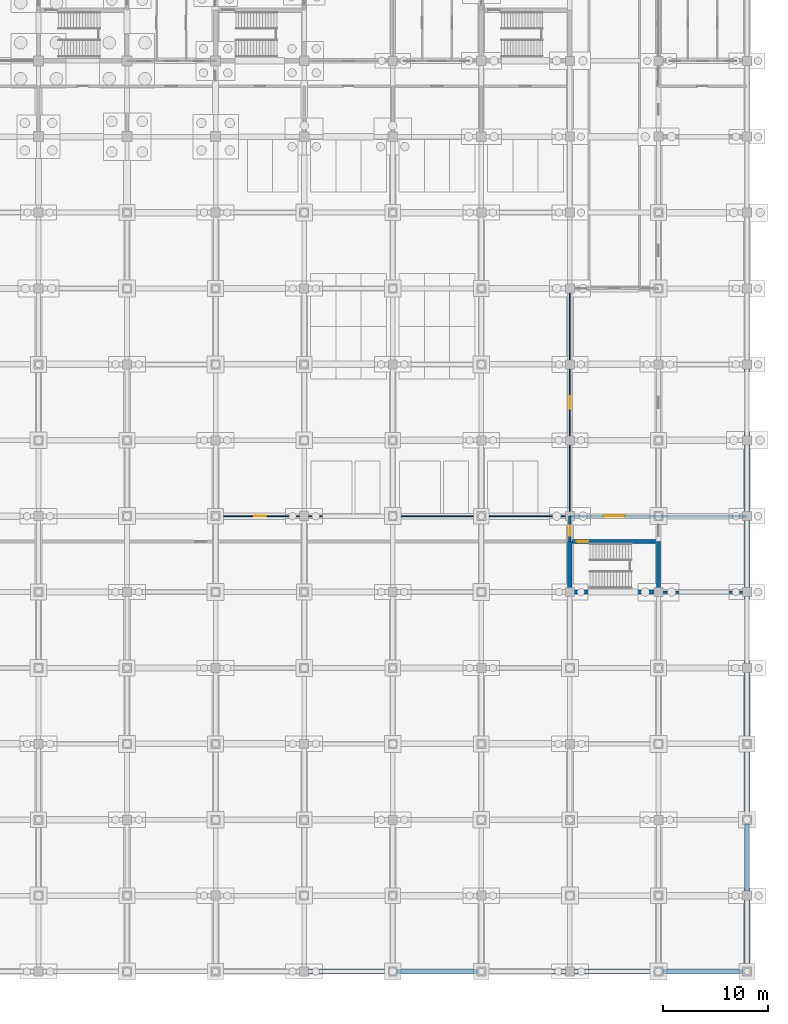
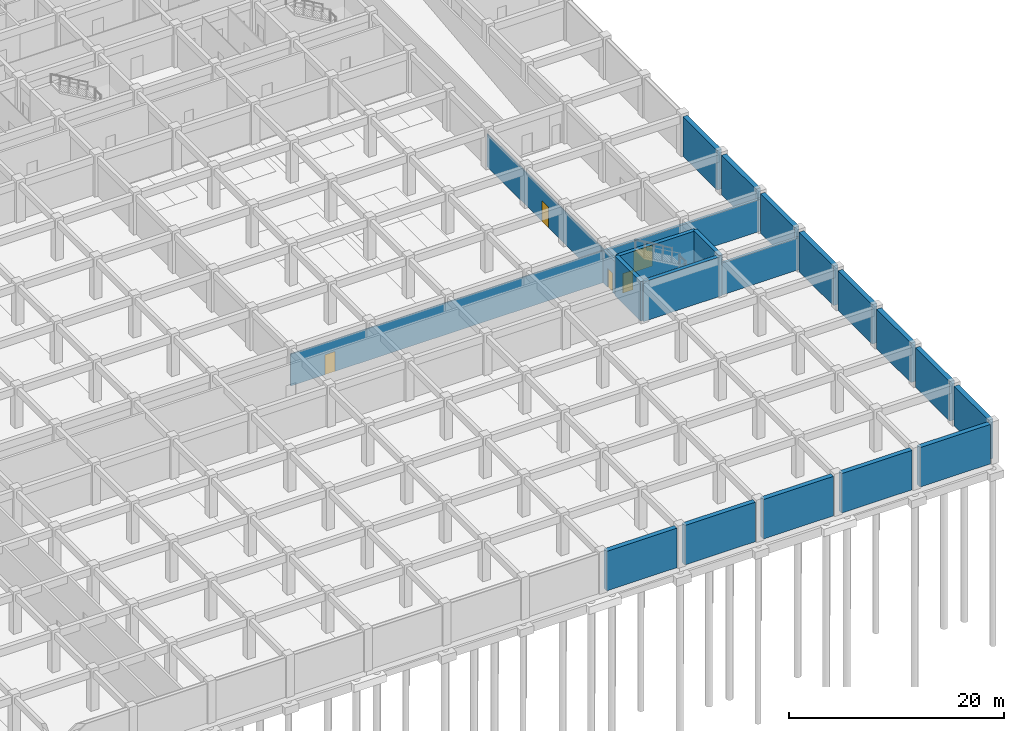
# One storey, part 76 of 85: 22 walls, 5 doors, 5 openings.
"""IFC4 building model written with IfcOpenShell, lengths in metres."""

import ifcopenshell
import ifcopenshell.guid

model = None  # the IFC model being written
_history = None  # IfcOwnerHistory: only IFC2X3 demands one
_inside = {}  # id of a spatial element -> (the spatial element, [elements in it])
_under = {}  # id of a project, library or spatial element -> (it, [spatial elements below it])
_declared = {}  # id of a project -> (the project, [libraries it declares])
_typed = {}  # id of a type object -> (the type object, [elements of that type])
_made_of = {}  # id of a material, layer set ... -> (it, [elements and type objects made of it])


def new_model(schema):
    """Start an empty IFC model of exactly this schema.

    Asked for "IFC4X3", IfcOpenShell would pick the latest addendum, in which some entities
    have other attributes; the version numbers below select the first issue.
    IFC2X3 requires an IfcOwnerHistory on every rooted entity: one is made here for all.
    """
    global model, _history
    if schema == "IFC4X3":
        model = ifcopenshell.file(schema_version=(4, 3, 0, 0))
    else:
        model = ifcopenshell.file(schema=schema)
    _inside.clear()
    _under.clear()
    _declared.clear()
    _typed.clear()
    _made_of.clear()
    _history = None
    if model.schema == "IFC2X3":
        org = make("IfcOrganization", Name="unknown")
        user = make(
            "IfcPersonAndOrganization",
            ThePerson=make("IfcPerson", FamilyName="unknown"),
            TheOrganization=org,
        )
        app = make(
            "IfcApplication",
            ApplicationDeveloper=org,
            Version="unknown",
            ApplicationFullName="unknown",
            ApplicationIdentifier="unknown",
        )
        _history = make(
            "IfcOwnerHistory",
            OwningUser=user,
            OwningApplication=app,
            ChangeAction="ADDED",
            CreationDate=0,
        )
    return model


def make(cls, **values):
    """One entity of the class cls with the attributes given. An attribute that is None is left unset."""
    return model.create_entity(
        cls, **{name: value for name, value in values.items() if value is not None}
    )


def rooted(cls, **values):
    """An entity with a GlobalId (a new one), such as an element, a storey or a relation."""
    return make(cls, GlobalId=ifcopenshell.guid.new(), OwnerHistory=_history, **values)


def si_unit(unit_type, name, prefix=None):
    """IfcSIUnit, for example si_unit("LENGTHUNIT", "METRE", prefix="MILLI")."""
    return make("IfcSIUnit", UnitType=unit_type, Prefix=prefix, Name=name)


def assignment(units):
    """IfcUnitAssignment: the units of a project."""
    return None if units is None else make("IfcUnitAssignment", Units=units)


def point(xyz):
    """IfcCartesianPoint."""
    return None if xyz is None else make("IfcCartesianPoint", Coordinates=xyz)


def direction(xyz):
    """IfcDirection."""
    return None if xyz is None else make("IfcDirection", DirectionRatios=xyz)


def frame(location, z_axis=None, x_axis=None):
    """IfcAxis2Placement3D, a coordinate frame: its origin and axes. An axis left out is left unset."""
    return make(
        "IfcAxis2Placement3D",
        Location=point(location),
        Axis=direction(z_axis),
        RefDirection=direction(x_axis),
    )


def frame_2d(location, x_axis=None):
    """IfcAxis2Placement2D, a coordinate frame in the plane: its origin and x axis."""
    return make(
        "IfcAxis2Placement2D", Location=point(location), RefDirection=direction(x_axis)
    )


def origin():
    """The frame at (0, 0, 0) with its axes left unset."""
    return frame((0.0, 0.0, 0.0))


def place(relative_to, where):
    """IfcLocalPlacement: puts the frame where relative to a parent placement (None: the world)."""
    return make(
        "IfcLocalPlacement", PlacementRelTo=relative_to, RelativePlacement=where
    )


def context(
    kind, dimensions, precision=None, world=None, true_north=None, identifier=None
):
    """IfcGeometricRepresentationContext, for example the 3D "Model" context."""
    return make(
        "IfcGeometricRepresentationContext",
        ContextIdentifier=identifier,
        ContextType=kind,
        CoordinateSpaceDimension=dimensions,
        Precision=precision,
        WorldCoordinateSystem=world,
        TrueNorth=true_north,
    )


def subcontext(parent, identifier, kind, view, scale=None):
    """IfcGeometricRepresentationSubContext, for example "Body" below "Model"."""
    return make(
        "IfcGeometricRepresentationSubContext",
        ContextIdentifier=identifier,
        ContextType=kind,
        ParentContext=parent,
        TargetScale=scale,
        TargetView=view,
    )


def project(units=None, contexts=None):
    """IfcProject with its units and contexts."""
    return rooted(
        "IfcProject",
        Name="project",
        RepresentationContexts=contexts,
        UnitsInContext=assignment(units),
    )


def spatial(cls, under=None, at=None, **own):
    """A site, building, storey or space (cls), placed at a placement, below another one or the project."""
    s = rooted(cls, ObjectPlacement=at, **own)
    if under is not None:
        _under.setdefault(under.id(), (under, []))[1].append(s)
    return s


def profile(cls, at=None, kind="AREA", **sizes):
    """A parametric profile (cls). Its sizes go by their IFC names, for example OverallWidth=200.0."""
    return make(cls, ProfileType=kind, Position=at, **sizes)


def rectangle(**sizes):
    """IfcRectangleProfileDef."""
    return profile("IfcRectangleProfileDef", **sizes)


def extrude(swept, where, along, depth):
    """IfcExtrudedAreaSolid: the profile swept, set in the frame where, extruded along a direction by depth."""
    return make(
        "IfcExtrudedAreaSolid",
        SweptArea=swept,
        Position=where,
        ExtrudedDirection=direction(along),
        Depth=depth,
    )


def shape(context_of_items, identifier, shape_type, items):
    """IfcShapeRepresentation: the items that make up one representation, for example the "Body"."""
    return make(
        "IfcShapeRepresentation",
        ContextOfItems=context_of_items,
        RepresentationIdentifier=identifier,
        RepresentationType=shape_type,
        Items=items,
    )


def material(Name=None, Category=None):
    """IfcMaterial."""
    return make("IfcMaterial", Name=Name, Category=Category)


def layer(
    of_material, thickness, ventilated=None, Name=None, Category=None, Priority=None
):
    """IfcMaterialLayer: one layer of a wall or slab, of a material (None: an air gap)."""
    return make(
        "IfcMaterialLayer",
        Material=of_material,
        LayerThickness=thickness,
        IsVentilated=ventilated,
        Name=Name,
        Category=Category,
        Priority=Priority,
    )


def layer_set(layers, Name=None):
    """IfcMaterialLayerSet."""
    return make("IfcMaterialLayerSet", MaterialLayers=layers, LayerSetName=Name)


def made_of(thing, what):
    """Note that an element or type object is made of a material, layer set ...; save() writes the relation."""
    if what is not None:
        _made_of.setdefault(what.id(), (what, []))[1].append(thing)
    return thing


def type_object(cls, material=None, **own):
    """A type object (cls), such as IfcWallType, which elements share."""
    return made_of(rooted(cls, **own), material)


def element(
    cls,
    number,
    at=None,
    inside=None,
    cuts=None,
    type_object=None,
    material=None,
    context=None,
    identifier="Body",
    shape_type=None,
    held_by="IfcProductDefinitionShape",
    body=None,
    shapes=None,
    **own,
):
    """One element of the class cls, such as IfcWall. Its Tag is "e" and its number.

    at: its placement. inside: the storey or other place that contains it. cuts: it is an
    opening in that element (IfcRelVoidsElement). A single representation is given by context,
    identifier, shape_type and body (its items); several are given by shapes. held_by: the class
    of the entity that holds the representations. save() writes the other relations.
    """
    e = rooted(cls, Tag="e%d" % number, ObjectPlacement=at, **own)
    if body is not None:
        shapes = [shape(context, identifier, shape_type, body)]
    if shapes is not None:
        e.Representation = make(held_by, Representations=shapes)
    if inside is not None:
        _inside.setdefault(inside.id(), (inside, []))[1].append(e)
    if cuts is not None:
        rooted(
            "IfcRelVoidsElement", RelatingBuildingElement=cuts, RelatedOpeningElement=e
        )
    if type_object is not None:
        _typed.setdefault(type_object.id(), (type_object, []))[1].append(e)
    return made_of(e, material)


def fill(opening, filler):
    """IfcRelFillsElement: the door or window that sits in an opening."""
    return rooted(
        "IfcRelFillsElement",
        RelatingOpeningElement=opening,
        RelatedBuildingElement=filler,
    )


def aggregate(whole, parts):
    """IfcRelAggregates: a whole, such as a stair, and the parts it consists of."""
    return rooted("IfcRelAggregates", RelatingObject=whole, RelatedObjects=parts)


def save(model, path):
    """Write the relations noted so far, then the file.

    IfcRelAggregates (storeys below a building ...), IfcRelContainedInSpatialStructure (elements
    in a storey), IfcRelDefinesByType, IfcRelAssociatesMaterial and IfcRelDeclares: one each for
    every whole, place, type object, material and project.
    """
    for whole, parts in _under.values():
        aggregate(whole, parts)
    for where, things in _inside.values():
        rooted(
            "IfcRelContainedInSpatialStructure",
            RelatedElements=things,
            RelatingStructure=where,
        )
    for kind, things in _typed.values():
        rooted("IfcRelDefinesByType", RelatedObjects=things, RelatingType=kind)
    for what, things in _made_of.values():
        rooted("IfcRelAssociatesMaterial", RelatedObjects=things, RelatingMaterial=what)
    for by, libraries in _declared.values():
        rooted("IfcRelDeclares", RelatingContext=by, RelatedDefinitions=libraries)
    model.write(path)


model = new_model("IFC4")

# Units and contexts
model_context = context("Model", 3, precision=1e-05, world=origin(), true_north=direction((0.0, 1.0)))
body_context = subcontext(model_context, "Body", "Model", "MODEL_VIEW")
ifc_project = project(units=[si_unit("LENGTHUNIT", "METRE"), si_unit("AREAUNIT", "SQUARE_METRE"), si_unit("VOLUMEUNIT", "CUBIC_METRE"), si_unit("PLANEANGLEUNIT", "RADIAN"), si_unit("MASSUNIT", "GRAM", prefix="KILO")], contexts=[model_context])

# Site, building, storey
site_placement = place(None, origin())
site = spatial("IfcSite", under=ifc_project, at=site_placement, CompositionType="ELEMENT")
building_placement = place(site_placement, origin())
building = spatial("IfcBuilding", under=site, at=building_placement, Name="Chengyuan Square Courthouse", CompositionType="ELEMENT")
storey_placement = place(building_placement, frame((0.0, 0.0, -10.199951171875)))
storey = spatial("IfcBuildingStorey", under=building, at=storey_placement, Name="B02", CompositionType="ELEMENT", Elevation=-10.199951171875)

# Wall
ifc_material_1 = material(Name="Concrete C40", Category="concrete")
ifc_layer_1 = layer(ifc_material_1, 0.25)
ifc_layer_set_1 = layer_set([ifc_layer_1], Name="Concrete C40")
wall_type_1 = type_object("IfcWallType", Name="WL-FW1", PredefinedType="STANDARD", material=ifc_layer_set_1)
wall_1_placement = place(storey_placement, frame((159.60009765625, 36.0, 0.0), z_axis=(0.0, 0.0, 1.0), x_axis=(1.0, 0.0, 0.0)))
element("IfcWall", 1, at=wall_1_placement, inside=storey, type_object=wall_type_1, Name="Interior Wall WL-B02-I006", PredefinedType="STANDARD", context=body_context, shape_type="SweptSolid", body=[
    extrude(rectangle(XDim=8.35986328125, YDim=0.25, at=frame_2d((4.179931640625, 0.0))), origin(), (0.0, 0.0, 1.0), 3.6298828125),
])

# Wall, opening, door
wall_2_placement = place(storey_placement, frame((151.199951171875, 43.199951171875, 0.0), z_axis=(0.0, 0.0, 1.0), x_axis=(1.0, 0.0, 0.0)))
wall_2 = element("IfcWall", 2, at=wall_2_placement, inside=storey, type_object=wall_type_1, Name="Interior Wall WL-B02-I016", PredefinedType="STANDARD", context=body_context, shape_type="SweptSolid", body=[
    extrude(rectangle(XDim=16.760009765625, YDim=0.25, at=frame_2d((8.3798828125, 0.0))), origin(), (0.0, 0.0, 1.0), 3.6298828125),
])
opening_1_placement = place(wall_2_placement, frame((3.199951171875, 0.0, 0.0)))
opening_1 = element("IfcOpeningElement", 3, at=opening_1_placement, cuts=wall_2, Name="Opening DR-044", PredefinedType="OPENING", context=body_context, shape_type="SweptSolid", body=[
    extrude(rectangle(XDim=2.0, YDim=2.39990234375, at=frame_2d((1.0, 1.199951171875))), frame((0.0, 0.136962890625, 0.0), z_axis=(0.0, -1.0, 0.0), x_axis=(1.0, 0.0, 0.0)), (0.0, 0.0, 1.0), 0.27392578125),
])
ifc_material_2 = material(Name="Steel Q235B Glazed Fire Door", Category="steel")
door_type_1 = type_object("IfcDoorType", Name="DT-20", OperationType="DOUBLE_DOOR_SINGLE_SWING", PredefinedType="DOOR", material=ifc_material_2)
door_1_placement = place(opening_1_placement, frame((2.0, 0.0, 0.0), z_axis=(0.0, 0.0, 1.0), x_axis=(-1.0, 0.0, 0.0)))
door_1 = element("IfcDoor", 4, at=door_1_placement, inside=storey, type_object=door_type_1, Name="Interior Door DR-044", OperationType="DOUBLE_DOOR_SINGLE_SWING", OverallHeight=2.39990234375, OverallWidth=2.0, PredefinedType="DOOR", context=body_context, shape_type="SweptSolid", body=[
    extrude(rectangle(XDim=2.0, YDim=2.39990234375, at=frame_2d((1.0, 1.199951171875))), frame((0.0, 0.02490234375, 0.0), z_axis=(0.0, -1.0, 0.0), x_axis=(1.0, 0.0, 0.0)), (0.0, 0.0, 1.0), 0.050048828125),
])
fill(opening_1, door_1)

wall_3_placement = place(storey_placement, frame((151.199951171875, 40.800048828125, 0.0), z_axis=(0.0, 0.0, 1.0), x_axis=(0.0, 1.0, 0.0)))
wall_3 = element("IfcWall", 5, at=wall_3_placement, inside=storey, type_object=wall_type_1, Name="Interior Wall WL-B02-I262", PredefinedType="STANDARD", context=body_context, shape_type="SweptSolid", body=[
    extrude(rectangle(XDim=2.39990234375, YDim=0.25, at=frame_2d((1.199951171875, 0.0))), origin(), (0.0, 0.0, 1.0), 3.72998046875),
])
opening_2_placement = place(wall_3_placement, frame((0.552490234375, 0.0, 0.0)))
opening_2 = element("IfcOpeningElement", 6, at=opening_2_placement, cuts=wall_3, Name="Opening DR-042", PredefinedType="OPENING", context=body_context, shape_type="SweptSolid", body=[
    extrude(rectangle(XDim=0.949951171875, YDim=2.14990234375, at=frame_2d((0.47509765625, 1.074951171875))), frame((0.0, 0.136962890625, 0.0), z_axis=(0.0, -1.0, 0.0), x_axis=(1.0, 0.0, 0.0)), (0.0, 0.0, 1.0), 0.27392578125),
])
ifc_material_3 = material(Name="Steel Q235B Fire Door", Category="steel")
door_type_2 = type_object("IfcDoorType", Name="DT-12", OperationType="NOTDEFINED", PredefinedType="DOOR", material=ifc_material_3)
door_2_placement = place(opening_2_placement, origin())
door_2 = element("IfcDoor", 7, at=door_2_placement, inside=storey, type_object=door_type_2, Name="Interior Door DR-042", OperationType="SINGLE_SWING_LEFT", OverallHeight=2.14990234375, OverallWidth=0.949951171875, PredefinedType="DOOR", context=body_context, shape_type="SweptSolid", body=[
    extrude(rectangle(XDim=0.949951171875, YDim=2.14990234375, at=frame_2d((0.47509765625, 1.074951171875))), frame((0.0, 0.02490234375, 0.0), z_axis=(0.0, -1.0, 0.0), x_axis=(1.0, 0.0, 0.0)), (0.0, 0.0, 1.0), 0.050048828125),
])
fill(opening_2, door_2)

ifc_material_4 = material(Name="Gypsum Plasterboard Acoustic Stud Partition")
ifc_layer_2 = layer(ifc_material_4, 0.10009765625)
ifc_layer_set_2 = layer_set([ifc_layer_2], Name="Gypsum Plasterboard Acoustic Stud Partition")
wall_type_2 = type_object("IfcWallType", Name="WL-PT6", PredefinedType="STANDARD", material=ifc_layer_set_2)
wall_4_placement = place(storey_placement, frame((117.60009765625, 43.199951171875, 0.0), z_axis=(0.0, 0.0, 1.0), x_axis=(1.0, 0.0, 0.0)))
wall_4 = element("IfcWall", 8, at=wall_4_placement, inside=storey, type_object=wall_type_2, Name="Interior Wall WL-B02-I015", PredefinedType="STANDARD", context=body_context, shape_type="SweptSolid", body=[
    extrude(rectangle(XDim=33.599853515625, YDim=0.10009765625, at=frame_2d((16.7998046875, 0.0))), origin(), (0.0, 0.0, 1.0), 3.6298828125),
])
opening_3_placement = place(wall_4_placement, frame((3.659912109375, 0.0, 0.0)))
opening_3 = element("IfcOpeningElement", 9, at=opening_3_placement, cuts=wall_4, Name="Opening DR-330", PredefinedType="OPENING", context=body_context, shape_type="SweptSolid", body=[
    extrude(rectangle(XDim=1.080078125, YDim=2.25, at=frame_2d((0.5400390625, 1.125))), frame((0.0, 0.06201171875, 0.0), z_axis=(0.0, -1.0, 0.0), x_axis=(1.0, 0.0, 0.0)), (0.0, 0.0, 1.0), 0.1240234375),
])
ifc_material_5 = material(Name="Acoustic Solid-Core Timber Door", Category="wood")
door_type_3 = type_object("IfcDoorType", Name="DT-33", OperationType="NOTDEFINED", PredefinedType="DOOR", material=ifc_material_5)
door_3_placement = place(opening_3_placement, origin())
door_3 = element("IfcDoor", 10, at=door_3_placement, inside=storey, type_object=door_type_3, Name="Interior Door DR-330", OperationType="SINGLE_SWING_LEFT", OverallHeight=2.25, OverallWidth=1.080078125, PredefinedType="DOOR", context=body_context, shape_type="SweptSolid", body=[
    extrude(rectangle(XDim=1.080078125, YDim=2.25, at=frame_2d((0.5400390625, 1.125))), frame((0.0, 0.02490234375, 0.0), z_axis=(0.0, -1.0, 0.0), x_axis=(1.0, 0.0, 0.0)), (0.0, 0.0, 1.0), 0.050048828125),
])
fill(opening_3, door_3)

wall_5_placement = place(storey_placement, frame((151.199951171875, 43.199951171875, 0.0), z_axis=(0.0, 0.0, 1.0), x_axis=(0.0, 1.0, 0.0)))
wall_5 = element("IfcWall", 11, at=wall_5_placement, inside=storey, type_object=wall_type_2, Name="Interior Wall WL-B02-I263", PredefinedType="STANDARD", context=body_context, shape_type="SweptSolid", body=[
    extrude(rectangle(XDim=21.60009765625, YDim=0.10009765625, at=frame_2d((10.800048828125, 0.0))), origin(), (0.0, 0.0, 1.0), 3.72998046875),
])
opening_4_placement = place(wall_5_placement, frame((10.199951171875, 0.0, 0.0)))
opening_4 = element("IfcOpeningElement", 12, at=opening_4_placement, cuts=wall_5, Name="Opening DR-333", PredefinedType="OPENING", context=body_context, shape_type="SweptSolid", body=[
    extrude(rectangle(XDim=1.199951171875, YDim=2.35009765625, at=frame_2d((0.60009765625, 1.175048828125))), frame((0.0, 0.06201171875, 0.0), z_axis=(0.0, -1.0, 0.0), x_axis=(1.0, 0.0, 0.0)), (0.0, 0.0, 1.0), 0.1240234375),
])
door_type_4 = type_object("IfcDoorType", Name="DT-36", OperationType="NOTDEFINED", PredefinedType="DOOR", material=ifc_material_5)
door_4_placement = place(opening_4_placement, origin())
door_4 = element("IfcDoor", 13, at=door_4_placement, inside=storey, type_object=door_type_4, Name="Interior Door DR-333", OperationType="SINGLE_SWING_RIGHT", OverallHeight=2.35009765625, OverallWidth=1.199951171875, PredefinedType="DOOR", context=body_context, shape_type="SweptSolid", body=[
    extrude(rectangle(XDim=1.199951171875, YDim=2.35009765625, at=frame_2d((0.60009765625, 1.175048828125))), frame((0.0, 0.02490234375, 0.0), z_axis=(0.0, -1.0, 0.0), x_axis=(1.0, 0.0, 0.0)), (0.0, 0.0, 1.0), 0.050048828125),
])
fill(opening_4, door_4)

# Walls
ifc_layer_3 = layer(ifc_material_1, 0.5)
ifc_layer_set_3 = layer_set([ifc_layer_3], Name="Concrete C40")
wall_type_3 = type_object("IfcWallType", Name="WL-RW1", PredefinedType="USERDEFINED", material=ifc_layer_set_3)
wall_6_placement = place(storey_placement, frame((126.419921875, 0.0, 0.0), z_axis=(0.0, 0.0, 1.0), x_axis=(1.0, 0.0, 0.0)))
element("IfcWall", 14, at=wall_6_placement, inside=storey, type_object=wall_type_3, Name="Basement Retaining Wall WL-B02-E047", ObjectType="RETAININGWALL", PredefinedType="USERDEFINED", context=body_context, shape_type="SweptSolid", body=[
    extrude(rectangle(XDim=7.56005859375, YDim=0.5, at=frame_2d((3.780029296875, 0.0))), origin(), (0.0, 0.0, 1.0), 4.47998046875),
])
wall_7_placement = place(storey_placement, frame((134.820068359375, 0.0, 0.0), z_axis=(0.0, 0.0, 1.0), x_axis=(1.0, 0.0, 0.0)))
element("IfcWall", 15, at=wall_7_placement, inside=storey, type_object=wall_type_3, Name="Basement Retaining Wall WL-B02-E049", ObjectType="RETAININGWALL", PredefinedType="USERDEFINED", context=body_context, shape_type="SweptSolid", body=[
    extrude(rectangle(XDim=7.559814453125, YDim=0.5, at=frame_2d((3.77978515625, 0.0))), origin(), (0.0, 0.0, 1.0), 4.47998046875),
])
wall_8_placement = place(storey_placement, frame((143.219970703125, 0.0, 0.0), z_axis=(0.0, 0.0, 1.0), x_axis=(1.0, 0.0, 0.0)))
element("IfcWall", 16, at=wall_8_placement, inside=storey, type_object=wall_type_3, Name="Basement Retaining Wall WL-B02-E051", ObjectType="RETAININGWALL", PredefinedType="USERDEFINED", context=body_context, shape_type="SweptSolid", body=[
    extrude(rectangle(XDim=7.56005859375, YDim=0.5, at=frame_2d((3.780029296875, 0.0))), origin(), (0.0, 0.0, 1.0), 4.47998046875),
])
wall_9_placement = place(storey_placement, frame((151.6201171875, 0.0, 0.0), z_axis=(0.0, 0.0, 1.0), x_axis=(1.0, 0.0, 0.0)))
element("IfcWall", 17, at=wall_9_placement, inside=storey, type_object=wall_type_3, Name="Basement Retaining Wall WL-B02-E053", ObjectType="RETAININGWALL", PredefinedType="USERDEFINED", context=body_context, shape_type="SweptSolid", body=[
    extrude(rectangle(XDim=7.559814453125, YDim=0.5, at=frame_2d((3.77978515625, 0.0))), origin(), (0.0, 0.0, 1.0), 4.47998046875),
])
wall_10_placement = place(storey_placement, frame((160.02001953125, 0.0, 0.0), z_axis=(0.0, 0.0, 1.0), x_axis=(1.0, 0.0, 0.0)))
element("IfcWall", 18, at=wall_10_placement, inside=storey, type_object=wall_type_3, Name="Basement Retaining Wall WL-B02-E055", ObjectType="RETAININGWALL", PredefinedType="USERDEFINED", context=body_context, shape_type="SweptSolid", body=[
    extrude(rectangle(XDim=7.56005859375, YDim=0.5, at=frame_2d((3.780029296875, 0.0))), origin(), (0.0, 0.0, 1.0), 4.47998046875),
])
wall_11_placement = place(storey_placement, frame((168.0, 0.419921875, 0.0), z_axis=(0.0, 0.0, 1.0), x_axis=(0.0, 1.0, 0.0)))
element("IfcWall", 19, at=wall_11_placement, inside=storey, type_object=wall_type_3, Name="Basement Retaining Wall WL-B02-E056", ObjectType="RETAININGWALL", PredefinedType="USERDEFINED", context=body_context, shape_type="SweptSolid", body=[
    extrude(rectangle(XDim=6.360107421875, YDim=0.5, at=frame_2d((3.18017578125, 0.0))), origin(), (0.0, 0.0, 1.0), 4.47998046875),
])
for number, where, z_axis, x_axis, name in (
    (20, (168.0, 7.6201171875, 0.0), (0.0, 0.0, 1.0), (0.0, 1.0, 0.0), "Basement Retaining Wall WL-B02-E057"),
    (21, (168.0, 14.820068359375, 0.0), (0.0, 0.0, 1.0), (0.0, 1.0, 0.0), "Basement Retaining Wall WL-B02-E058"),
    (22, (168.0, 22.02001953125, 0.0), (0.0, 0.0, 1.0), (0.0, 1.0, 0.0), "Basement Retaining Wall WL-B02-E059"),
):
    element("IfcWall", number, at=place(storey_placement, frame(where, z_axis=z_axis, x_axis=x_axis)), inside=storey, type_object=wall_type_3, Name=name, ObjectType="RETAININGWALL", PredefinedType="USERDEFINED", context=body_context, shape_type="SweptSolid", body=[
        extrude(rectangle(XDim=6.35986328125, YDim=0.5, at=frame_2d((3.179931640625, 0.0))), origin(), (0.0, 0.0, 1.0), 4.47998046875),
    ])
for number, where, z_axis, x_axis, name in (
    (23, (168.0, 29.219970703125, 0.0), (0.0, 0.0, 1.0), (0.0, 1.0, 0.0), "Basement Retaining Wall WL-B02-E060"),
    (24, (168.0, 36.419921875, 0.0), (0.0, 0.0, 1.0), (0.0, 1.0, 0.0), "Basement Retaining Wall WL-B02-E061"),
):
    element("IfcWall", number, at=place(storey_placement, frame(where, z_axis=z_axis, x_axis=x_axis)), inside=storey, type_object=wall_type_3, Name=name, ObjectType="RETAININGWALL", PredefinedType="USERDEFINED", context=body_context, shape_type="SweptSolid", body=[
        extrude(rectangle(XDim=6.360107421875, YDim=0.5, at=frame_2d((3.18017578125, 0.0))), origin(), (0.0, 0.0, 1.0), 4.47998046875),
    ])
for number, where, z_axis, x_axis, name in (
    (25, (168.0, 43.6201171875, 0.0), (0.0, 0.0, 1.0), (0.0, 1.0, 0.0), "Basement Retaining Wall WL-B02-E062"),
    (26, (168.0, 50.820068359375, 0.0), (0.0, 0.0, 1.0), (0.0, 1.0, 0.0), "Basement Retaining Wall WL-B02-E063"),
):
    element("IfcWall", number, at=place(storey_placement, frame(where, z_axis=z_axis, x_axis=x_axis)), inside=storey, type_object=wall_type_3, Name=name, ObjectType="RETAININGWALL", PredefinedType="USERDEFINED", context=body_context, shape_type="SweptSolid", body=[
        extrude(rectangle(XDim=6.35986328125, YDim=0.5, at=frame_2d((3.179931640625, 0.0))), origin(), (0.0, 0.0, 1.0), 4.47998046875),
    ])
ifc_material_6 = material(Name="Concrete C50", Category="concrete")
ifc_layer_4 = layer(ifc_material_6, 0.39990234375)
ifc_layer_set_4 = layer_set([ifc_layer_4], Name="Concrete C50")
wall_type_4 = type_object("IfcWallType", Name="WL-SW1", PredefinedType="SHEAR", material=ifc_layer_set_4)
wall_12_placement = place(storey_placement, frame((151.199951171875, 36.0, 0.0), z_axis=(0.0, 0.0, 1.0), x_axis=(1.0, 0.0, 0.0)))
element("IfcWall", 27, at=wall_12_placement, inside=storey, type_object=wall_type_4, Name="Interior Wall WL-B02-I005", PredefinedType="SHEAR", context=body_context, shape_type="SweptSolid", body=[
    extrude(rectangle(XDim=8.400146484375, YDim=0.39990234375, at=frame_2d((4.2001953125, 0.0))), origin(), (0.0, 0.0, 1.0), 4.47998046875),
])

# Wall, opening, door
wall_13_placement = place(storey_placement, frame((151.199951171875, 40.800048828125, 0.0), z_axis=(0.0, 0.0, 1.0), x_axis=(1.0, 0.0, 0.0)))
wall_13 = element("IfcWall", 28, at=wall_13_placement, inside=storey, type_object=wall_type_4, Name="Interior Wall WL-B02-I010", PredefinedType="SHEAR", context=body_context, shape_type="SweptSolid", body=[
    extrude(rectangle(XDim=8.400146484375, YDim=0.39990234375, at=frame_2d((4.2001953125, 0.0))), origin(), (0.0, 0.0, 1.0), 4.47998046875),
])
opening_5_placement = place(wall_13_placement, frame((0.64990234375, 0.0, 0.0)))
opening_5 = element("IfcOpeningElement", 29, at=opening_5_placement, cuts=wall_13, Name="Opening DR-018", PredefinedType="OPENING", context=body_context, shape_type="SweptSolid", body=[
    extrude(rectangle(XDim=1.10009765625, YDim=2.199951171875, at=frame_2d((0.550048828125, 1.10009765625))), frame((0.0, 0.2119140625, 0.0), z_axis=(0.0, -1.0, 0.0), x_axis=(1.0, 0.0, 0.0)), (0.0, 0.0, 1.0), 0.423828125),
])
door_type_5 = type_object("IfcDoorType", Name="DT-10", OperationType="NOTDEFINED", PredefinedType="DOOR", material=ifc_material_3)
door_5_placement = place(opening_5_placement, frame((1.10009765625, 0.0, 0.0), z_axis=(0.0, 0.0, 1.0), x_axis=(-1.0, 0.0, 0.0)))
door_5 = element("IfcDoor", 30, at=door_5_placement, inside=storey, type_object=door_type_5, Name="Smoke-Proof Stairwell Fire Door ST-8 DR-018", OperationType="SINGLE_SWING_RIGHT", OverallHeight=2.199951171875, OverallWidth=1.10009765625, PredefinedType="DOOR", context=body_context, shape_type="SweptSolid", body=[
    extrude(rectangle(XDim=1.10009765625, YDim=2.199951171875, at=frame_2d((0.550048828125, 1.10009765625))), frame((0.0, 0.02490234375, 0.0), z_axis=(0.0, -1.0, 0.0), x_axis=(1.0, 0.0, 0.0)), (0.0, 0.0, 1.0), 0.050048828125),
])
fill(opening_5, door_5)

# Walls
for number, where, z_axis, x_axis, name in (
    (31, (151.199951171875, 36.0, 0.0), (0.0, 0.0, 1.0), (0.0, 1.0, 0.0), "Interior Wall WL-B02-I261"),
    (32, (159.60009765625, 36.0, 0.0), (0.0, 0.0, 1.0), (0.0, 1.0, 0.0), "Interior Wall WL-B02-I270"),
):
    element("IfcWall", number, at=place(storey_placement, frame(where, z_axis=z_axis, x_axis=x_axis)), inside=storey, type_object=wall_type_4, Name=name, PredefinedType="SHEAR", context=body_context, shape_type="SweptSolid", body=[
        extrude(rectangle(XDim=4.800048828125, YDim=0.39990234375, at=frame_2d((2.39990234375, 0.0))), origin(), (0.0, 0.0, 1.0), 4.47998046875),
    ])

save(model, "model.ifc")
